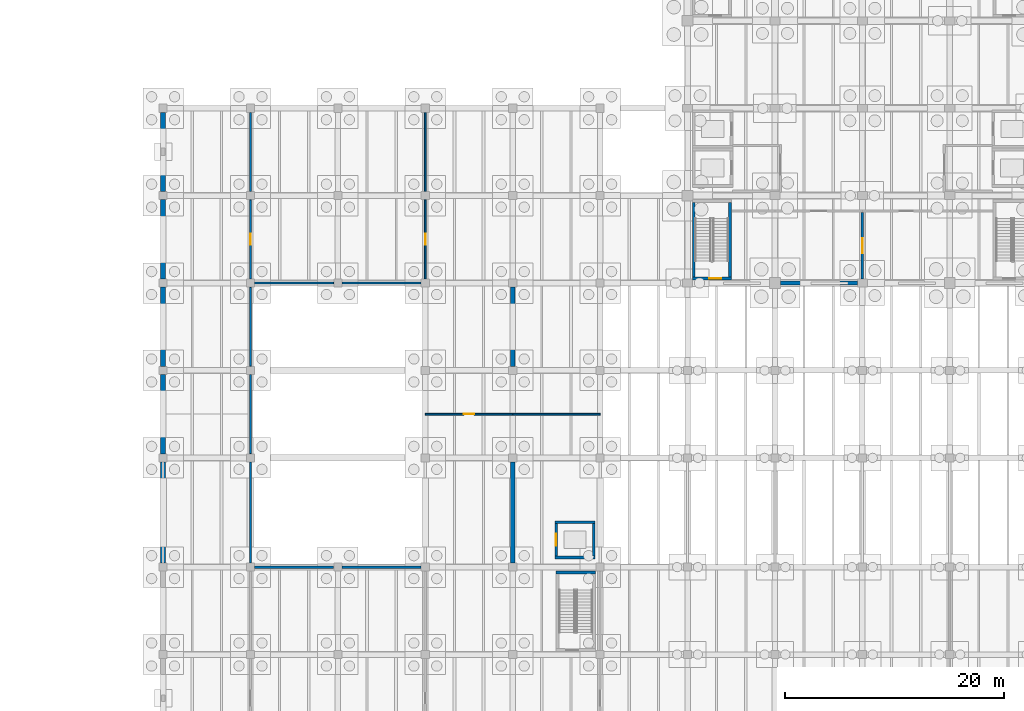
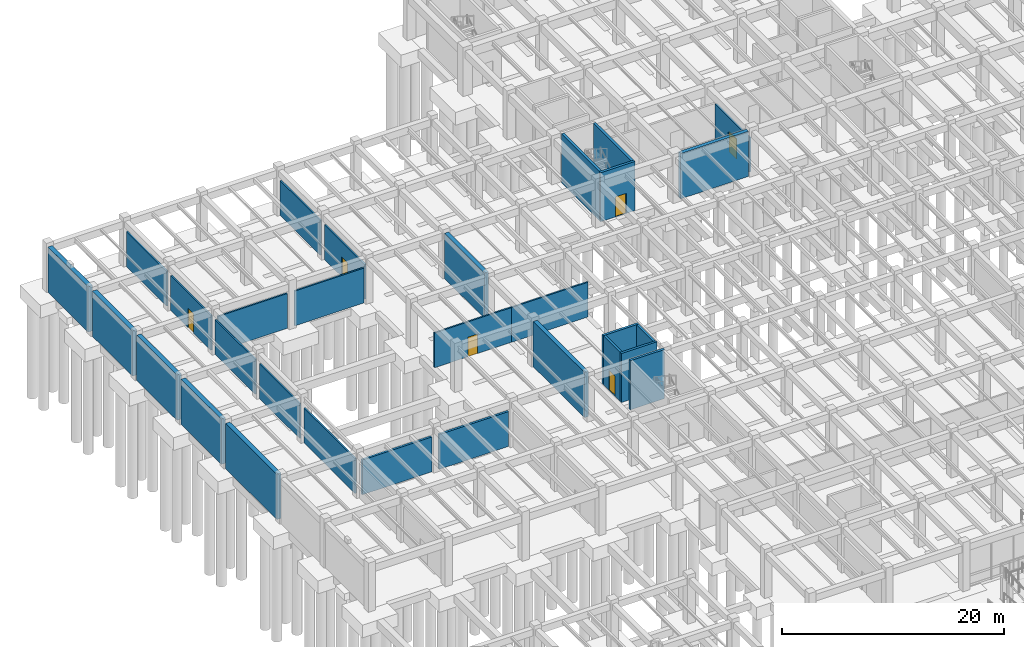
# One storey, part 26 of 44: 30 walls, 6 doors, 6 openings.
"""IFC4 building model written with IfcOpenShell, lengths in metres."""

from ifc_helpers import new_model, si_unit, direction, frame, frame_2d, origin, place, context, subcontext, project, spatial, rectangle, extrude, material, layer, layer_set, type_object, element, fill, save


model = new_model("IFC4")

# Units and contexts
model_context = context("Model", 3, precision=1e-05, world=origin(), true_north=direction((0.0, 1.0)))
body_context = subcontext(model_context, "Body", "Model", "MODEL_VIEW")
ifc_project = project(units=[si_unit("LENGTHUNIT", "METRE"), si_unit("AREAUNIT", "SQUARE_METRE"), si_unit("VOLUMEUNIT", "CUBIC_METRE"), si_unit("PLANEANGLEUNIT", "RADIAN"), si_unit("MASSUNIT", "GRAM", prefix="KILO")], contexts=[model_context])

# Site, building, storey
site_placement = place(None, origin())
site = spatial("IfcSite", under=ifc_project, at=site_placement, CompositionType="ELEMENT")
building_placement = place(site_placement, origin())
building = spatial("IfcBuilding", under=site, at=building_placement, Name="Pecanmere Concourse Central Library", CompositionType="ELEMENT")
storey_placement = place(building_placement, frame((0.0, 0.0, -5.39990234375)))
storey = spatial("IfcBuildingStorey", under=building, at=storey_placement, Name="B1", CompositionType="ELEMENT", Elevation=-5.39990234375)

# Wall, opening, door
ifc_material_1 = material(Name="Fire-rated gypsum board on acoustic steel stud", Category="steel")
ifc_layer_1 = layer(ifc_material_1, 0.159912109375, Name="IW_PART_160")
ifc_layer_set_1 = layer_set([ifc_layer_1], Name="Fire-rated gypsum board on acoustic steel stud")
wall_type_1 = type_object("IfcWallType", Name="IW_PART_160", PredefinedType="PARTITIONING", material=ifc_layer_set_1)
wall_1_placement = place(storey_placement, frame((48.0, 78.0, 0.0), z_axis=(0.0, 0.0, 1.0), x_axis=(1.0, 0.0, 0.0)))
wall_1 = element("IfcWall", 1, at=wall_1_placement, inside=storey, type_object=wall_type_1, Name="Interior Partition B1-0008", PredefinedType="PARTITIONING", context=body_context, shape_type="SweptSolid", body=[
    extrude(rectangle(XDim=8.0, YDim=0.159912109375, at=frame_2d((4.0, 0.0))), origin(), (0.0, 0.0, 1.0), 3.829833984375),
])
opening_1_placement = place(wall_1_placement, frame((3.5, 0.0, 0.0)))
opening_1 = element("IfcOpeningElement", 2, at=opening_1_placement, cuts=wall_1, Name="Opening DT-03", PredefinedType="OPENING", context=body_context, shape_type="SweptSolid", body=[
    extrude(rectangle(XDim=1.0, YDim=2.14990234375, at=frame_2d((0.5, 1.074951171875))), frame((0.0, 0.091796875, 0.0), z_axis=(0.0, -1.0, 0.0), x_axis=(1.0, 0.0, 0.0)), (0.0, 0.0, 1.0), 0.183837890625),
])
ifc_material_2 = material(Name="Solid white oak architectural joinery")
door_type_1 = type_object("IfcDoorType", Name="DT-03", OperationType="SINGLE_SWING_LEFT", PredefinedType="DOOR", material=ifc_material_2)
door_1_placement = place(opening_1_placement, frame((1.0, 0.0, 0.0), z_axis=(0.0, 0.0, 1.0), x_axis=(-1.0, 0.0, 0.0)))
door_1 = element("IfcDoor", 3, at=door_1_placement, inside=storey, type_object=door_type_1, Name="D-129", OperationType="SINGLE_SWING_LEFT", OverallHeight=2.14990234375, OverallWidth=1.0, PredefinedType="DOOR", context=body_context, shape_type="SweptSolid", body=[
    extrude(rectangle(XDim=1.0, YDim=2.14990234375, at=frame_2d((0.5, 1.074951171875))), frame((0.0, 0.02490234375, 0.0), z_axis=(0.0, -1.0, 0.0), x_axis=(1.0, 0.0, 0.0)), (0.0, 0.0, 1.0), 0.050048828125),
])
fill(opening_1, door_1)

# Walls
wall_2_placement = place(storey_placement, frame((56.02001953125, 78.0, 0.0), z_axis=(0.0, 0.0, 1.0), x_axis=(1.0, 0.0, 0.0)))
element("IfcWall", 4, at=wall_2_placement, inside=storey, type_object=wall_type_1, Name="Interior Partition B1-0009", PredefinedType="PARTITIONING", context=body_context, shape_type="SweptSolid", body=[
    extrude(rectangle(XDim=7.97998046875, YDim=0.159912109375, at=frame_2d((3.989990234375, 0.0))), origin(), (0.0, 0.0, 1.0), 3.829833984375),
])
wall_3_placement = place(storey_placement, frame((32.0, 64.385009765625, 0.0), z_axis=(0.0, 0.0, 1.0), x_axis=(0.0, 1.0, 0.0)))
element("IfcWall", 5, at=wall_3_placement, inside=storey, type_object=wall_type_1, Name="Interior Partition B1-0012", PredefinedType="PARTITIONING", context=body_context, shape_type="SweptSolid", body=[
    extrude(rectangle(XDim=9.22998046875, YDim=0.159912109375, at=frame_2d((4.614990234375, 0.0))), origin(), (0.0, 0.0, 1.0), 3.829833984375),
])
for number, where, z_axis, x_axis, name in (
    (6, (32.0, 74.385009765625, 0.0), (0.0, 0.0, 1.0), (0.0, 1.0, 0.0), "Interior Partition B1-0013"),
    (7, (32.0, 82.385009765625, 0.0), (0.0, 0.0, 1.0), (0.0, 1.0, 0.0), "Interior Partition B1-0014"),
):
    element("IfcWall", number, at=place(storey_placement, frame(where, z_axis=z_axis, x_axis=x_axis)), inside=storey, type_object=wall_type_1, Name=name, PredefinedType="PARTITIONING", context=body_context, shape_type="SweptSolid", body=[
        extrude(rectangle(XDim=7.22998046875, YDim=0.159912109375, at=frame_2d((3.614990234375, 0.0))), origin(), (0.0, 0.0, 1.0), 3.829833984375),
    ])

# Wall, opening, door
wall_4_placement = place(storey_placement, frame((32.0, 90.385009765625, 0.0), z_axis=(0.0, 0.0, 1.0), x_axis=(0.0, 1.0, 0.0)))
wall_4 = element("IfcWall", 8, at=wall_4_placement, inside=storey, type_object=wall_type_1, Name="Interior Partition B1-0015", PredefinedType="PARTITIONING", context=body_context, shape_type="SweptSolid", body=[
    extrude(rectangle(XDim=7.22998046875, YDim=0.159912109375, at=frame_2d((3.614990234375, 0.0))), origin(), (0.0, 0.0, 1.0), 3.829833984375),
])
opening_2_placement = place(wall_4_placement, frame((3.114990234375, 0.0, 0.0)))
opening_2 = element("IfcOpeningElement", 9, at=opening_2_placement, cuts=wall_4, Name="Opening DT-04", PredefinedType="OPENING", context=body_context, shape_type="SweptSolid", body=[
    extrude(rectangle(XDim=1.0, YDim=2.14990234375, at=frame_2d((0.5, 1.074951171875))), frame((0.0, 0.091796875, 0.0), z_axis=(0.0, -1.0, 0.0), x_axis=(1.0, 0.0, 0.0)), (0.0, 0.0, 1.0), 0.183837890625),
])
ifc_material_3 = material(Name="Solid white oak architectural joinery")
door_type_2 = type_object("IfcDoorType", Name="DT-04", OperationType="SINGLE_SWING_RIGHT", PredefinedType="DOOR", material=ifc_material_3)
door_2_placement = place(opening_2_placement, frame((1.0, 0.0, 0.0), z_axis=(0.0, 0.0, 1.0), x_axis=(-1.0, 0.0, 0.0)))
door_2 = element("IfcDoor", 10, at=door_2_placement, inside=storey, type_object=door_type_2, Name="D-131", OperationType="SINGLE_SWING_RIGHT", OverallHeight=2.14990234375, OverallWidth=1.0, PredefinedType="DOOR", context=body_context, shape_type="SweptSolid", body=[
    extrude(rectangle(XDim=1.0, YDim=2.14990234375, at=frame_2d((0.5, 1.074951171875))), frame((0.0, 0.02490234375, 0.0), z_axis=(0.0, -1.0, 0.0), x_axis=(1.0, 0.0, 0.0)), (0.0, 0.0, 1.0), 0.050048828125),
])
fill(opening_2, door_2)

# Walls
for number, where, z_axis, x_axis, name in (
    (11, (32.0, 98.385009765625, 0.0), (0.0, 0.0, 1.0), (0.0, 1.0, 0.0), "Interior Partition B1-0016"),
    (12, (32.385009765625, 90.0, 0.0), (0.0, 0.0, 1.0), (1.0, 0.0, 0.0), "Interior Partition B1-0036"),
    (13, (40.385009765625, 90.0, 0.0), (0.0, 0.0, 1.0), (1.0, 0.0, 0.0), "Interior Partition B1-0037"),
):
    element("IfcWall", number, at=place(storey_placement, frame(where, z_axis=z_axis, x_axis=x_axis)), inside=storey, type_object=wall_type_1, Name=name, PredefinedType="PARTITIONING", context=body_context, shape_type="SweptSolid", body=[
        extrude(rectangle(XDim=7.22998046875, YDim=0.159912109375, at=frame_2d((3.614990234375, 0.0))), origin(), (0.0, 0.0, 1.0), 3.829833984375),
    ])

# Wall, opening, door
wall_5_placement = place(storey_placement, frame((48.0, 90.385009765625, 0.0), z_axis=(0.0, 0.0, 1.0), x_axis=(0.0, 1.0, 0.0)))
wall_5 = element("IfcWall", 14, at=wall_5_placement, inside=storey, type_object=wall_type_1, Name="Interior Partition B1-0038", PredefinedType="PARTITIONING", context=body_context, shape_type="SweptSolid", body=[
    extrude(rectangle(XDim=7.22998046875, YDim=0.159912109375, at=frame_2d((3.614990234375, 0.0))), origin(), (0.0, 0.0, 1.0), 3.829833984375),
])
opening_3_placement = place(wall_5_placement, frame((3.114990234375, 0.0, 0.0)))
opening_3 = element("IfcOpeningElement", 15, at=opening_3_placement, cuts=wall_5, Name="Opening DT-04", PredefinedType="OPENING", context=body_context, shape_type="SweptSolid", body=[
    extrude(rectangle(XDim=1.0, YDim=2.14990234375, at=frame_2d((0.5, 1.074951171875))), frame((0.0, 0.091796875, 0.0), z_axis=(0.0, -1.0, 0.0), x_axis=(1.0, 0.0, 0.0)), (0.0, 0.0, 1.0), 0.183837890625),
])
door_3_placement = place(opening_3_placement, frame((1.0, 0.0, 0.0), z_axis=(0.0, 0.0, 1.0), x_axis=(-1.0, 0.0, 0.0)))
door_3 = element("IfcDoor", 16, at=door_3_placement, inside=storey, type_object=door_type_2, Name="D-137", OperationType="SINGLE_SWING_RIGHT", OverallHeight=2.14990234375, OverallWidth=1.0, PredefinedType="DOOR", context=body_context, shape_type="SweptSolid", body=[
    extrude(rectangle(XDim=1.0, YDim=2.14990234375, at=frame_2d((0.5, 1.074951171875))), frame((0.0, 0.02490234375, 0.0), z_axis=(0.0, -1.0, 0.0), x_axis=(1.0, 0.0, 0.0)), (0.0, 0.0, 1.0), 0.050048828125),
])
fill(opening_3, door_3)

# Wall
wall_6_placement = place(storey_placement, frame((48.0, 98.385009765625, 0.0), z_axis=(0.0, 0.0, 1.0), x_axis=(0.0, 1.0, 0.0)))
element("IfcWall", 17, at=wall_6_placement, inside=storey, type_object=wall_type_1, Name="Interior Partition B1-0039", PredefinedType="PARTITIONING", context=body_context, shape_type="SweptSolid", body=[
    extrude(rectangle(XDim=7.22998046875, YDim=0.159912109375, at=frame_2d((3.614990234375, 0.0))), origin(), (0.0, 0.0, 1.0), 3.829833984375),
])

# Wall, opening, door
ifc_material_4 = material(Name="Fire-rated gypsum board on acoustic steel stud", Category="steel")
ifc_layer_2 = layer(ifc_material_4, 0.199951171875, Name="IW_PART_200")
ifc_layer_set_2 = layer_set([ifc_layer_2], Name="Fire-rated gypsum board on acoustic steel stud")
wall_type_2 = type_object("IfcWallType", Name="IW_PART_200", PredefinedType="PARTITIONING", material=ifc_layer_set_2)
wall_7_placement = place(storey_placement, frame((88.0, 90.3701171875, 0.0), z_axis=(0.0, 0.0, 1.0), x_axis=(0.0, 1.0, 0.0)))
wall_7 = element("IfcWall", 18, at=wall_7_placement, inside=storey, type_object=wall_type_2, Name="Interior Partition B1-0005", PredefinedType="PARTITIONING", context=body_context, shape_type="SweptSolid", body=[
    extrude(rectangle(XDim=6.079833984375, YDim=0.199951171875, at=frame_2d((3.0400390625, 0.0))), origin(), (0.0, 0.0, 1.0), 3.829833984375),
])
opening_4_placement = place(wall_7_placement, frame((2.340087890625, 0.0, 0.0)))
opening_4 = element("IfcOpeningElement", 19, at=opening_4_placement, cuts=wall_7, Name="Opening FD-05", PredefinedType="OPENING", context=body_context, shape_type="SweptSolid", body=[
    extrude(rectangle(XDim=1.39990234375, YDim=2.199951171875, at=frame_2d((0.699951171875, 1.10009765625))), frame((0.0, 0.11181640625, 0.0), z_axis=(0.0, -1.0, 0.0), x_axis=(1.0, 0.0, 0.0)), (0.0, 0.0, 1.0), 0.223876953125),
])
ifc_material_5 = material(Name="Painted architectural steel ASTM A36", Category="steel")
door_type_3 = type_object("IfcDoorType", Name="FD-05", OperationType="DOUBLE_DOOR_SINGLE_SWING", PredefinedType="DOOR", material=ifc_material_5)
door_4_placement = place(opening_4_placement, frame((1.39990234375, 0.0, 0.0), z_axis=(0.0, 0.0, 1.0), x_axis=(-1.0, 0.0, 0.0)))
door_4 = element("IfcDoor", 20, at=door_4_placement, inside=storey, type_object=door_type_3, Name="D-127", OperationType="DOUBLE_DOOR_SINGLE_SWING", OverallHeight=2.199951171875, OverallWidth=1.39990234375, PredefinedType="DOOR", context=body_context, shape_type="SweptSolid", body=[
    extrude(rectangle(XDim=1.39990234375, YDim=2.199951171875, at=frame_2d((0.699951171875, 1.10009765625))), frame((0.0, 0.02490234375, 0.0), z_axis=(0.0, -1.0, 0.0), x_axis=(1.0, 0.0, 0.0)), (0.0, 0.0, 1.0), 0.050048828125),
])
fill(opening_4, door_4)

# Walls
ifc_material_6 = material(Name="Concrete masonry unit ASTM C90", Category="masonry")
ifc_layer_3 = layer(ifc_material_6, 0.22509765625, Name="IW_PLUMB_225")
ifc_layer_set_3 = layer_set([ifc_layer_3], Name="Concrete masonry unit ASTM C90")
wall_type_3 = type_object("IfcWallType", Name="IW_PLUMB_225", PredefinedType="PARTITIONING", material=ifc_layer_set_3)
for number, where, z_axis, x_axis, name in (
    (21, (32.385009765625, 64.0, 0.0), (0.0, 0.0, 1.0), (1.0, 0.0, 0.0), "Interior Partition B1-0026"),
    (22, (40.385009765625, 64.0, 0.0), (0.0, 0.0, 1.0), (1.0, 0.0, 0.0), "Interior Partition B1-0027"),
):
    element("IfcWall", number, at=place(storey_placement, frame(where, z_axis=z_axis, x_axis=x_axis)), inside=storey, type_object=wall_type_3, Name=name, PredefinedType="PARTITIONING", context=body_context, shape_type="SweptSolid", body=[
        extrude(rectangle(XDim=7.22998046875, YDim=0.22509765625, at=frame_2d((3.614990234375, 0.0))), origin(), (0.0, 0.0, 1.0), 3.829833984375),
    ])
ifc_material_7 = material(Name="Concrete C40/50", Category="concrete")
ifc_layer_4 = layer(ifc_material_7, 0.4599609375, Name="WALL_RET_460")
ifc_layer_set_4 = layer_set([ifc_layer_4], Name="Concrete C40/50")
wall_type_4 = type_object("IfcWallType", Name="WALL_RET_460", PredefinedType="USERDEFINED", material=ifc_layer_set_4)
wall_8_placement = place(storey_placement, frame((24.0, 64.375, 0.0), z_axis=(0.0, 0.0, 1.0), x_axis=(0.0, 1.0, 0.0)))
element("IfcWall", 23, at=wall_8_placement, inside=storey, type_object=wall_type_4, Name="Basement Retaining Wall B1-007", ObjectType="RETAININGWALL", PredefinedType="USERDEFINED", context=body_context, shape_type="SweptSolid", body=[
    extrude(rectangle(XDim=9.25, YDim=0.4599609375, at=frame_2d((4.625, 0.0))), origin(), (0.0, 0.0, 1.0), 4.97998046875),
])
for number, where, z_axis, x_axis, name in (
    (24, (24.0, 74.375, 0.0), (0.0, 0.0, 1.0), (0.0, 1.0, 0.0), "Basement Retaining Wall B1-008"),
    (25, (24.0, 82.375, 0.0), (0.0, 0.0, 1.0), (0.0, 1.0, 0.0), "Basement Retaining Wall B1-009"),
    (26, (24.0, 90.375, 0.0), (0.0, 0.0, 1.0), (0.0, 1.0, 0.0), "Basement Retaining Wall B1-010"),
    (27, (24.0, 98.375, 0.0), (0.0, 0.0, 1.0), (0.0, 1.0, 0.0), "Basement Retaining Wall B1-011"),
):
    element("IfcWall", number, at=place(storey_placement, frame(where, z_axis=z_axis, x_axis=x_axis)), inside=storey, type_object=wall_type_4, Name=name, ObjectType="RETAININGWALL", PredefinedType="USERDEFINED", context=body_context, shape_type="SweptSolid", body=[
        extrude(rectangle(XDim=7.25, YDim=0.4599609375, at=frame_2d((3.625, 0.0))), origin(), (0.0, 0.0, 1.0), 4.97998046875),
    ])
ifc_material_8 = material(Name="Concrete C40/50", Category="concrete")
ifc_layer_5 = layer(ifc_material_8, 0.3798828125, Name="WALL_SHR_380")
ifc_layer_set_5 = layer_set([ifc_layer_5], Name="Concrete C40/50")
wall_type_5 = type_object("IfcWallType", Name="WALL_SHR_380", PredefinedType="SHEAR", material=ifc_layer_set_5)
wall_9_placement = place(storey_placement, frame((80.489990234375, 90.0, 0.0), z_axis=(0.0, 0.0, 1.0), x_axis=(1.0, 0.0, 0.0)))
element("IfcWall", 28, at=wall_9_placement, inside=storey, type_object=wall_type_5, Name="Lateral Shear Wall B1-025", PredefinedType="SHEAR", context=body_context, shape_type="SweptSolid", body=[
    extrude(rectangle(XDim=7.050048828125, YDim=0.3798828125, at=frame_2d((3.52490234375, 0.0))), origin(), (0.0, 0.0, 1.0), 4.97998046875),
])
ifc_material_9 = material(Name="Concrete C40/50", Category="concrete")
ifc_layer_6 = layer(ifc_material_9, 0.419921875, Name="WALL_SHR_420")
ifc_layer_set_6 = layer_set([ifc_layer_6], Name="Concrete C40/50")
wall_type_6 = type_object("IfcWallType", Name="WALL_SHR_420", PredefinedType="SHEAR", material=ifc_layer_set_6)
wall_10_placement = place(storey_placement, frame((56.0, 64.375, 0.0), z_axis=(0.0, 0.0, 1.0), x_axis=(0.0, 1.0, 0.0)))
element("IfcWall", 29, at=wall_10_placement, inside=storey, type_object=wall_type_6, Name="Lateral Shear Wall B1-013", PredefinedType="SHEAR", context=body_context, shape_type="SweptSolid", body=[
    extrude(rectangle(XDim=9.25, YDim=0.419921875, at=frame_2d((4.625, 0.0))), origin(), (0.0, 0.0, 1.0), 4.97998046875),
])
wall_11_placement = place(storey_placement, frame((56.0, 82.375, 0.0), z_axis=(0.0, 0.0, 1.0), x_axis=(0.0, 1.0, 0.0)))
element("IfcWall", 30, at=wall_11_placement, inside=storey, type_object=wall_type_6, Name="Lateral Shear Wall B1-019", PredefinedType="SHEAR", context=body_context, shape_type="SweptSolid", body=[
    extrude(rectangle(XDim=7.25, YDim=0.419921875, at=frame_2d((3.625, 0.0))), origin(), (0.0, 0.0, 1.0), 4.97998046875),
])
ifc_material_10 = material(Name="Concrete C40/50", Category="concrete")
ifc_layer_7 = layer(ifc_material_10, 0.239990234375, Name="WALL_SLD_240")
ifc_layer_set_7 = layer_set([ifc_layer_7], Name="Concrete C40/50")
wall_type_7 = type_object("IfcWallType", Name="WALL_SLD_240", PredefinedType="SOLIDWALL", material=ifc_layer_set_7)
for number, where, z_axis, x_axis, name in (
    (31, (59.860107421875, 64.8798828125, 0.0), (0.0, 0.0, 1.0), (1.0, 0.0, 0.0), "Hoistway Wall LP-04 B1-S"),
    (32, (59.860107421875, 68.1201171875, 0.0), (0.0, 0.0, 1.0), (1.0, 0.0, 0.0), "Hoistway Wall LP-04 B1-N"),
):
    element("IfcWall", number, at=place(storey_placement, frame(where, z_axis=z_axis, x_axis=x_axis)), inside=storey, type_object=wall_type_7, Name=name, PredefinedType="SOLIDWALL", context=body_context, shape_type="SweptSolid", body=[
        extrude(rectangle(XDim=3.679931640625, YDim=0.239990234375, at=frame_2d((1.83984375, 0.0))), origin(), (0.0, 0.0, 1.0), 5.39990234375),
    ])

# Wall, opening, door
wall_12_placement = place(storey_placement, frame((59.97998046875, 65.0, 0.0), z_axis=(0.0, 0.0, 1.0), x_axis=(0.0, 1.0, 0.0)))
wall_12 = element("IfcWall", 33, at=wall_12_placement, inside=storey, type_object=wall_type_7, Name="Hoistway Wall LP-04 B1-W", PredefinedType="SOLIDWALL", context=body_context, shape_type="SweptSolid", body=[
    extrude(rectangle(XDim=3.0, YDim=0.239990234375, at=frame_2d((1.5, 0.0))), origin(), (0.0, 0.0, 1.0), 5.39990234375),
])
opening_5_placement = place(wall_12_placement, frame((0.949951171875, 0.0, 0.0)))
opening_5 = element("IfcOpeningElement", 34, at=opening_5_placement, cuts=wall_12, Name="Opening LD-01", PredefinedType="OPENING", context=body_context, shape_type="SweptSolid", body=[
    extrude(rectangle(XDim=1.10009765625, YDim=2.199951171875, at=frame_2d((0.550048828125, 1.10009765625))), frame((0.0, 0.1318359375, 0.0), z_axis=(0.0, -1.0, 0.0), x_axis=(1.0, 0.0, 0.0)), (0.0, 0.0, 1.0), 0.263916015625),
])
ifc_material_11 = material(Name="Brushed stainless steel Grade 316", Category="steel")
door_type_4 = type_object("IfcDoorType", Name="LD-01", OperationType="DOUBLE_DOOR_SLIDING", PredefinedType="DOOR", material=ifc_material_11)
door_5_placement = place(opening_5_placement, origin())
door_5 = element("IfcDoor", 35, at=door_5_placement, inside=storey, type_object=door_type_4, Name="LD-LP-04-B1", OperationType="DOUBLE_DOOR_SLIDING", OverallHeight=2.199951171875, OverallWidth=1.10009765625, PredefinedType="DOOR", context=body_context, shape_type="SweptSolid", body=[
    extrude(rectangle(XDim=1.10009765625, YDim=2.199951171875, at=frame_2d((0.550048828125, 1.10009765625))), frame((0.0, 0.02490234375, 0.0), z_axis=(0.0, -1.0, 0.0), x_axis=(1.0, 0.0, 0.0)), (0.0, 0.0, 1.0), 0.050048828125),
])
fill(opening_5, door_5)

# Wall
wall_13_placement = place(storey_placement, frame((63.419921875, 65.0, 0.0), z_axis=(0.0, 0.0, 1.0), x_axis=(0.0, 1.0, 0.0)))
element("IfcWall", 36, at=wall_13_placement, inside=storey, type_object=wall_type_7, Name="Hoistway Wall LP-04 B1-E", PredefinedType="SOLIDWALL", context=body_context, shape_type="SweptSolid", body=[
    extrude(rectangle(XDim=3.0, YDim=0.239990234375, at=frame_2d((1.5, 0.0))), origin(), (0.0, 0.0, 1.0), 5.39990234375),
])

# Wall, opening, door
ifc_material_12 = material(Name="Concrete C40/50", Category="concrete")
ifc_layer_8 = layer(ifc_material_12, 0.260009765625, Name="WALL_SLD_260")
ifc_layer_set_8 = layer_set([ifc_layer_8], Name="Concrete C40/50")
wall_type_8 = type_object("IfcWallType", Name="WALL_SLD_260", PredefinedType="SOLIDWALL", material=ifc_layer_set_8)
wall_14_placement = place(storey_placement, frame((72.43994140625, 90.419921875, 0.0), z_axis=(0.0, 0.0, 1.0), x_axis=(1.0, 0.0, 0.0)))
wall_14 = element("IfcWall", 37, at=wall_14_placement, inside=storey, type_object=wall_type_8, Name="Core C1 South Wall B1", PredefinedType="SOLIDWALL", context=body_context, shape_type="SweptSolid", body=[
    extrude(rectangle(XDim=3.580078125, YDim=0.260009765625, at=frame_2d((1.7900390625, 0.0))), origin(), (0.0, 0.0, 1.0), 5.39990234375),
])
opening_6_placement = place(wall_14_placement, frame((1.56005859375, 0.0, 0.0)))
opening_6 = element("IfcOpeningElement", 38, at=opening_6_placement, cuts=wall_14, Name="Opening FD-02", PredefinedType="OPENING", context=body_context, shape_type="SweptSolid", body=[
    extrude(rectangle(XDim=1.10009765625, YDim=2.199951171875, at=frame_2d((0.550048828125, 1.10009765625))), frame((0.0, 0.14208984375, 0.0), z_axis=(0.0, -1.0, 0.0), x_axis=(1.0, 0.0, 0.0)), (0.0, 0.0, 1.0), 0.283935546875),
])
ifc_material_13 = material(Name="Painted architectural steel ASTM A36", Category="steel")
door_type_5 = type_object("IfcDoorType", Name="FD-02", OperationType="SINGLE_SWING_RIGHT", PredefinedType="DOOR", material=ifc_material_13)
door_6_placement = place(opening_6_placement, origin())
door_6 = element("IfcDoor", 39, at=door_6_placement, inside=storey, type_object=door_type_5, Name="D-001", OperationType="SINGLE_SWING_RIGHT", OverallHeight=2.199951171875, OverallWidth=1.10009765625, PredefinedType="DOOR", context=body_context, shape_type="SweptSolid", body=[
    extrude(rectangle(XDim=1.10009765625, YDim=2.199951171875, at=frame_2d((0.550048828125, 1.10009765625))), frame((0.0, 0.02490234375, 0.0), z_axis=(0.0, -1.0, 0.0), x_axis=(1.0, 0.0, 0.0)), (0.0, 0.0, 1.0), 0.050048828125),
])
fill(opening_6, door_6)

# Walls
for number, where, z_axis, x_axis, name in (
    (40, (72.570068359375, 90.550048828125, 0.0), (0.0, 0.0, 1.0), (0.0, 1.0, 0.0), "Core C1 W Wall B1"),
    (41, (75.889892578125, 90.550048828125, 0.0), (0.0, 0.0, 1.0), (0.0, 1.0, 0.0), "Core C1 E Wall B1"),
):
    element("IfcWall", number, at=place(storey_placement, frame(where, z_axis=z_axis, x_axis=x_axis)), inside=storey, type_object=wall_type_8, Name=name, PredefinedType="SOLIDWALL", context=body_context, shape_type="SweptSolid", body=[
        extrude(rectangle(XDim=6.820068359375, YDim=0.260009765625, at=frame_2d((3.41015625, 0.0))), origin(), (0.0, 0.0, 1.0), 5.39990234375),
    ])
wall_15_placement = place(storey_placement, frame((59.97998046875, 63.5, 0.0), z_axis=(0.0, 0.0, 1.0), x_axis=(1.0, 0.0, 0.0)))
element("IfcWall", 42, at=wall_15_placement, inside=storey, type_object=wall_type_8, Name="Core C6 North Wall B1", PredefinedType="SOLIDWALL", context=body_context, shape_type="SweptSolid", body=[
    extrude(rectangle(XDim=3.580078125, YDim=0.260009765625, at=frame_2d((1.7900390625, 0.0))), origin(), (0.0, 0.0, 1.0), 5.39990234375),
])

save(model, "model.ifc")
